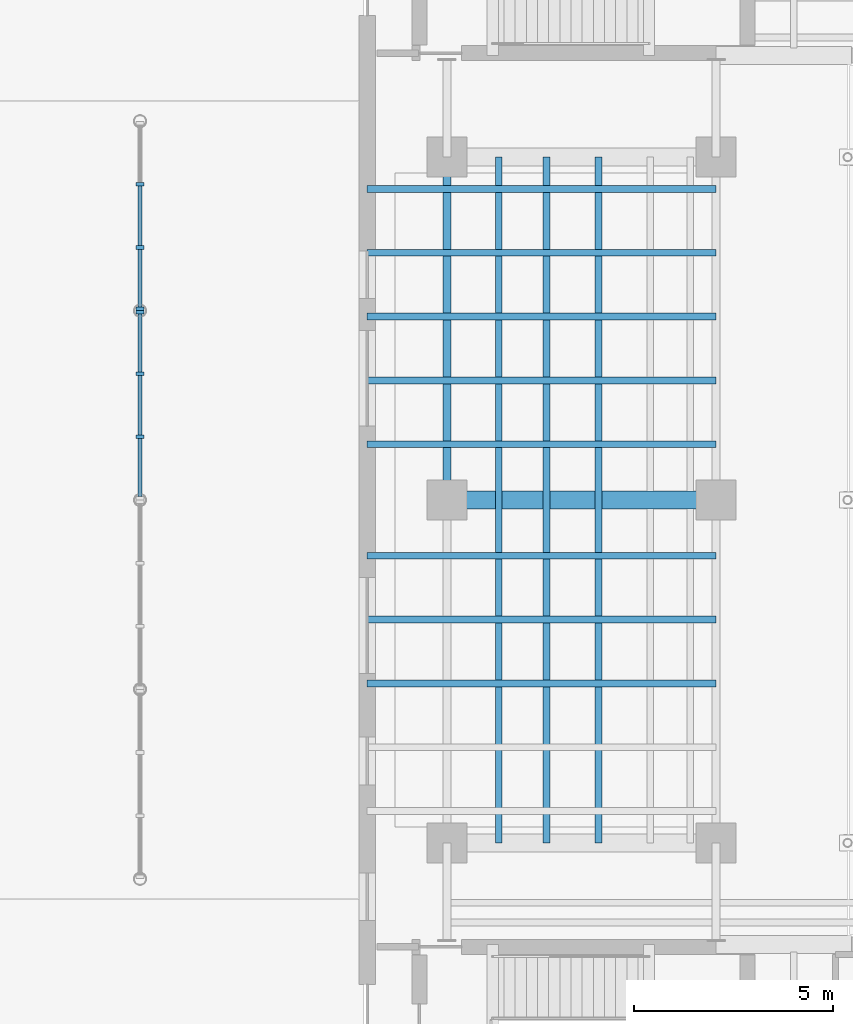
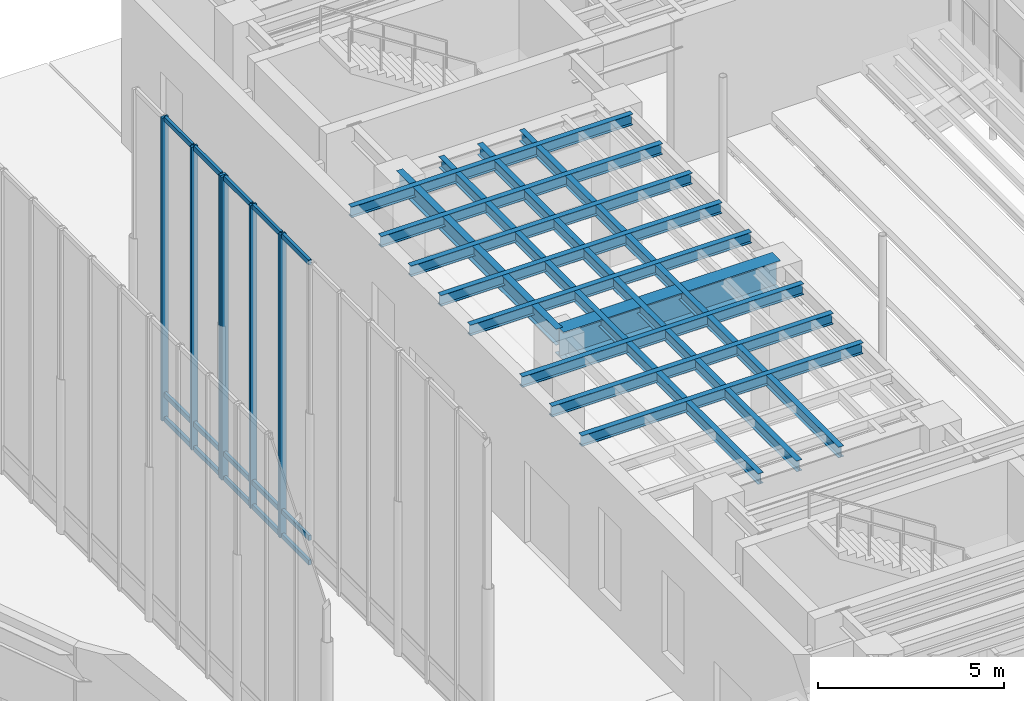
# One storey, part 10 of 28: 21 members, 13 beams, 2 elements without a shape of their own.
"""IFC4 building model written with IfcOpenShell, lengths in metres."""

from ifc_helpers import new_model, si_unit, direction, frame, origin, origin_2d, place, context, subcontext, project, spatial, rectangle, i_section, extrude, material, layer, layer_set, material_profile, profile_set, type_object, element, aggregate, save


model = new_model("IFC4")

# Units and contexts
model_context = context("Model", 3, precision=1e-05, world=origin(), true_north=direction((0.0, 1.0)))
body_context = subcontext(model_context, "Body", "Model", "MODEL_VIEW")
ifc_project = project(units=[si_unit("LENGTHUNIT", "METRE"), si_unit("AREAUNIT", "SQUARE_METRE"), si_unit("VOLUMEUNIT", "CUBIC_METRE"), si_unit("PLANEANGLEUNIT", "RADIAN"), si_unit("MASSUNIT", "GRAM", prefix="KILO")], contexts=[model_context])

# Site, building, storey
site_placement = place(None, origin())
site = spatial("IfcSite", under=ifc_project, at=site_placement, CompositionType="ELEMENT")
building_placement = place(site_placement, origin())
building = spatial("IfcBuilding", under=site, at=building_placement, Name="Korentha Bioscience Tower", CompositionType="ELEMENT")
storey_placement = place(building_placement, origin())
storey = spatial("IfcBuildingStorey", under=building, at=storey_placement, Name="L00", CompositionType="ELEMENT", Elevation=0.0)

# Curtain wall, members
ifc_material_1 = material(Name="Painted Steel-Aluminium Mullion System", Category="steel")
ifc_layer = layer(ifc_material_1, 0.219970703125, Name="Painted Steel-Aluminium Mullion System")
ifc_layer_set = layer_set([ifc_layer], Name="Painted Steel-Aluminium Mullion System (CW-A1)")
curtain_wall_type = type_object("IfcCurtainWallType", Name="Covered Public Arcade Glazed Wall CW-A1", PredefinedType="USERDEFINED", material=ifc_layer_set)
curtain_wall_1_placement = place(storey_placement, origin())
curtain_wall_1 = element("IfcCurtainWall", 1, at=curtain_wall_1_placement, inside=storey, type_object=curtain_wall_type, Name="Covered Arcade Curtain Wall E-3", ObjectType="ARCADE_GLAZING", PredefinedType="USERDEFINED")
ifc_material_2 = material(Name="Anodised Aluminium 6063-T6", Category="aluminium")
ifc_material_profile_1 = material_profile(ifc_material_2, rectangle(XDim=0.090087890625, YDim=0.199951171875, at=origin_2d()), Name="Anodised Aluminium 6063-T6")
ifc_profile_set_1 = profile_set([ifc_material_profile_1], Name="Anodised Aluminium 6063-T6 (CW-MUL)")
member_type_1 = type_object("IfcMemberType", Name="Mullion RECT 90x200", PredefinedType="MULLION", material=ifc_profile_set_1)
member_1_placement = place(storey_placement, frame((58.800048828125, 28.583251953125, 0.0), z_axis=(0.0, 0.0, 1.0), x_axis=(0.0, 1.0, 0.0)))
member_1 = element("IfcMember", 2, at=member_1_placement, type_object=member_type_1, Name="CW-ARC-E-3 Mullion 2", PredefinedType="MULLION", context=body_context, shape_type="SweptSolid", body=[
    extrude(rectangle(XDim=0.090087890625, YDim=0.199951171875, at=origin_2d()), origin(), (0.0, 0.0, 1.0), 9.9599609375),
])
member_2_placement = place(storey_placement, frame((58.800048828125, 30.166748046875, 0.0), z_axis=(0.0, 0.0, 1.0), x_axis=(0.0, 1.0, 0.0)))
member_2 = element("IfcMember", 3, at=member_2_placement, type_object=member_type_1, Name="CW-ARC-E-3 Mullion 3", PredefinedType="MULLION", context=body_context, shape_type="SweptSolid", body=[
    extrude(rectangle(XDim=0.090087890625, YDim=0.199951171875, at=origin_2d()), origin(), (0.0, 0.0, 1.0), 9.9599609375),
])
member_3_placement = place(storey_placement, frame((58.800048828125, 31.705078125, 0.0), z_axis=(0.0, 0.0, 1.0), x_axis=(0.0, 1.0, 0.0)))
member_3 = element("IfcMember", 4, at=member_3_placement, type_object=member_type_1, Name="CW-ARC-E-3 Mullion 4", PredefinedType="MULLION", context=body_context, shape_type="SweptSolid", body=[
    extrude(rectangle(XDim=0.090087890625, YDim=0.199951171875, at=origin_2d()), origin(), (0.0, 0.0, 1.0), 9.9599609375),
])

curtain_wall_2_placement = place(storey_placement, origin())
curtain_wall_2 = element("IfcCurtainWall", 5, at=curtain_wall_2_placement, inside=storey, type_object=curtain_wall_type, Name="Covered Arcade Curtain Wall E-4", ObjectType="ARCADE_GLAZING", PredefinedType="USERDEFINED")
member_4_placement = place(storey_placement, frame((58.800048828125, 31.794921875, 0.0), z_axis=(0.0, 0.0, 1.0), x_axis=(0.0, 1.0, 0.0)))
member_4 = element("IfcMember", 6, at=member_4_placement, type_object=member_type_1, Name="CW-ARC-E-4 Mullion 1", PredefinedType="MULLION", context=body_context, shape_type="SweptSolid", body=[
    extrude(rectangle(XDim=0.090087890625, YDim=0.199951171875, at=origin_2d()), origin(), (0.0, 0.0, 1.0), 9.9599609375),
])
member_5_placement = place(storey_placement, frame((58.800048828125, 33.333251953125, 0.0), z_axis=(0.0, 0.0, 1.0), x_axis=(0.0, 1.0, 0.0)))
member_5 = element("IfcMember", 7, at=member_5_placement, type_object=member_type_1, Name="CW-ARC-E-4 Mullion 2", PredefinedType="MULLION", context=body_context, shape_type="SweptSolid", body=[
    extrude(rectangle(XDim=0.090087890625, YDim=0.199951171875, at=origin_2d()), origin(), (0.0, 0.0, 1.0), 9.9599609375),
])
member_6_placement = place(storey_placement, frame((58.800048828125, 34.916748046875, 0.0), z_axis=(0.0, 0.0, 1.0), x_axis=(0.0, 1.0, 0.0)))
member_6 = element("IfcMember", 8, at=member_6_placement, type_object=member_type_1, Name="CW-ARC-E-4 Mullion 3", PredefinedType="MULLION", context=body_context, shape_type="SweptSolid", body=[
    extrude(rectangle(XDim=0.090087890625, YDim=0.199951171875, at=origin_2d()), origin(), (0.0, 0.0, 1.0), 9.9599609375),
])

# Beams
ifc_material_3 = material(Name="Steel S355", Category="steel")
ifc_material_profile_2 = material_profile(ifc_material_3, i_section(OverallWidth=0.208984375, OverallDepth=0.532958984375, WebThickness=0.01025390625, FlangeThickness=0.015625, at=origin_2d()), Name="Steel S355")
ifc_profile_set_2 = profile_set([ifc_material_profile_2], Name="Steel S355 (SB-530)")
beam_type_1 = type_object("IfcBeamType", Name="Perimeter Ring Spandrel Girder W530x92", PredefinedType="SPANDREL", material=ifc_profile_set_2)
beam_1_placement = place(storey_placement, frame((66.5, 27.0, 4.83349609375), z_axis=(0.0, 1.0, 0.0), x_axis=(-1.0, 0.0, 0.0)))
element("IfcBeam", 9, at=beam_1_placement, inside=storey, type_object=beam_type_1, Name="L00 Theatre Collector Girder 1-5", PredefinedType="SPANDREL", context=body_context, shape_type="SweptSolid", body=[
    extrude(i_section(OverallWidth=0.208984375, OverallDepth=0.532958984375, WebThickness=0.01025390625, FlangeThickness=0.015625, at=origin_2d()), origin(), (0.0, 0.0, 1.0), 8.60009765625),
])
ifc_material_profile_3 = material_profile(ifc_material_3, i_section(OverallWidth=0.1708984375, OverallDepth=0.35498046875, WebThickness=0.007080078125, FlangeThickness=0.01171875, at=origin_2d()), Name="Steel S355")
ifc_profile_set_3 = profile_set([ifc_material_profile_3], Name="Steel S355 (JB-360)")
beam_type_2 = type_object("IfcBeamType", Name="Secondary Laboratory Joist W360x51", PredefinedType="JOIST", material=ifc_profile_set_3)
for number, where, z_axis, x_axis, name in (
    (10, (67.800048828125, 18.39990234375, 4.922607421875), (0.0, 1.0, 0.0), (-1.0, 0.0, 0.0), "L00 Theatre Foyer Longitudinal Joist 01"),
    (11, (69.0, 18.39990234375, 4.922607421875), (0.0, 1.0, 0.0), (-1.0, 0.0, 0.0), "L00 Theatre Foyer Longitudinal Joist 02"),
    (12, (70.300048828125, 18.39990234375, 4.922607421875), (0.0, 1.0, 0.0), (-1.0, 0.0, 0.0), "L00 Theatre Foyer Longitudinal Joist 03"),
):
    element("IfcBeam", number, at=place(storey_placement, frame(where, z_axis=z_axis, x_axis=x_axis)), inside=storey, type_object=beam_type_2, Name=name, PredefinedType="JOIST", context=body_context, shape_type="SweptSolid", body=[
        extrude(i_section(OverallWidth=0.1708984375, OverallDepth=0.35498046875, WebThickness=0.007080078125, FlangeThickness=0.01171875, at=origin_2d()), origin(), (0.0, 0.0, 1.0), 17.2001953125),
    ])
for number, where, z_axis, x_axis, name in (
    (13, (64.5, 22.39990234375, 4.922607421875), (1.0, 0.0, 0.0), (0.0, 1.0, 0.0), "L00 Theatre Foyer Joist 03"),
    (14, (64.5, 24.0, 4.922607421875), (1.0, 0.0, 0.0), (0.0, 1.0, 0.0), "L00 Theatre Foyer Joist 04"),
    (15, (64.5, 25.60009765625, 4.922607421875), (1.0, 0.0, 0.0), (0.0, 1.0, 0.0), "L00 Theatre Foyer Joist 05"),
    (16, (64.5, 28.39990234375, 4.922607421875), (1.0, 0.0, 0.0), (0.0, 1.0, 0.0), "L00 Theatre Foyer Joist 06"),
    (17, (64.5, 30.0, 4.922607421875), (1.0, 0.0, 0.0), (0.0, 1.0, 0.0), "L00 Theatre Foyer Joist 07"),
    (18, (64.5, 31.60009765625, 4.922607421875), (1.0, 0.0, 0.0), (0.0, 1.0, 0.0), "L00 Theatre Foyer Joist 08"),
    (19, (64.5, 33.199951171875, 4.922607421875), (1.0, 0.0, 0.0), (0.0, 1.0, 0.0), "L00 Theatre Foyer Joist 09"),
    (20, (64.5, 34.800048828125, 4.922607421875), (1.0, 0.0, 0.0), (0.0, 1.0, 0.0), "L00 Theatre Foyer Joist 10"),
):
    element("IfcBeam", number, at=place(storey_placement, frame(where, z_axis=z_axis, x_axis=x_axis)), inside=storey, type_object=beam_type_2, Name=name, PredefinedType="JOIST", context=body_context, shape_type="SweptSolid", body=[
        extrude(i_section(OverallWidth=0.1708984375, OverallDepth=0.35498046875, WebThickness=0.007080078125, FlangeThickness=0.01171875, at=origin_2d()), origin(), (0.0, 0.0, 1.0), 8.75),
    ])
ifc_material_profile_4 = material_profile(ifc_material_3, i_section(OverallWidth=0.449951171875, OverallDepth=0.949951171875, WebThickness=0.02001953125, FlangeThickness=0.034912109375, at=origin_2d()), Name="Steel S355")
ifc_profile_set_4 = profile_set([ifc_material_profile_4], Name="Steel S355 (TB-950)")
beam_type_3 = type_object("IfcBeamType", Name="Theatre Primary Girder CVS 950x374", PredefinedType="BEAM", material=ifc_profile_set_4)
beam_2_placement = place(storey_placement, frame((66.5, 27.0, 4.625), z_axis=(1.0, 0.0, 0.0), x_axis=(0.0, 1.0, 0.0)))
element("IfcBeam", 21, at=beam_2_placement, inside=storey, type_object=beam_type_3, Name="L00 Theatre Foyer Girder 3", PredefinedType="BEAM", context=body_context, shape_type="SweptSolid", body=[
    extrude(i_section(OverallWidth=0.449951171875, OverallDepth=0.949951171875, WebThickness=0.02001953125, FlangeThickness=0.034912109375, at=origin_2d()), origin(), (0.0, 0.0, 1.0), 6.75),
])

# Member
ifc_material_profile_5 = material_profile(ifc_material_2, rectangle(XDim=0.090087890625, YDim=0.159912109375, at=origin_2d()), Name="Anodised Aluminium 6063-T6")
ifc_profile_set_5 = profile_set([ifc_material_profile_5], Name="Anodised Aluminium 6063-T6 (CW-TRN)")
member_type_2 = type_object("IfcMemberType", Name="Transom RECT 90x160", PredefinedType="USERDEFINED", material=ifc_profile_set_5)
member_7_placement = place(storey_placement, frame((58.800048828125, 27.090087890625, 0.044921875), z_axis=(0.0, 1.0, 0.0), x_axis=(-1.0, 0.0, 0.0)))
member_7 = element("IfcMember", 22, at=member_7_placement, type_object=member_type_2, Name="CW-ARC-E-3 Bay 1 Transom 1", ObjectType="TRANSOM", PredefinedType="USERDEFINED", context=body_context, shape_type="SweptSolid", body=[
    extrude(rectangle(XDim=0.090087890625, YDim=0.159912109375, at=origin_2d()), origin(), (0.0, 0.0, 1.0), 1.4482421875),
])

member_8_placement = place(storey_placement, frame((58.800048828125, 27.090087890625, 0.85009765625), z_axis=(0.0, 1.0, 0.0), x_axis=(-1.0, 0.0, 0.0)))
member_8 = element("IfcMember", 23, at=member_8_placement, type_object=member_type_2, Name="CW-ARC-E-3 Bay 1 Transom 2", ObjectType="TRANSOM", PredefinedType="USERDEFINED", context=body_context, shape_type="SweptSolid", body=[
    extrude(rectangle(XDim=0.090087890625, YDim=0.159912109375, at=origin_2d()), origin(), (0.0, 0.0, 1.0), 1.4482421875),
])

member_9_placement = place(storey_placement, frame((58.800048828125, 27.090087890625, 9.9150390625), z_axis=(0.0, 1.0, 0.0), x_axis=(-1.0, 0.0, 0.0)))
member_9 = element("IfcMember", 24, at=member_9_placement, type_object=member_type_2, Name="CW-ARC-E-3 Bay 1 Transom 3", ObjectType="TRANSOM", PredefinedType="USERDEFINED", context=body_context, shape_type="SweptSolid", body=[
    extrude(rectangle(XDim=0.090087890625, YDim=0.159912109375, at=origin_2d()), origin(), (0.0, 0.0, 1.0), 1.4482421875),
])

member_10_placement = place(storey_placement, frame((58.800048828125, 28.62841796875, 0.044921875), z_axis=(0.0, 1.0, 0.0), x_axis=(-1.0, 0.0, 0.0)))
member_10 = element("IfcMember", 25, at=member_10_placement, type_object=member_type_2, Name="CW-ARC-E-3 Bay 2 Transom 1", ObjectType="TRANSOM", PredefinedType="USERDEFINED", context=body_context, shape_type="SweptSolid", body=[
    extrude(rectangle(XDim=0.090087890625, YDim=0.159912109375, at=origin_2d()), origin(), (0.0, 0.0, 1.0), 1.4931640625),
])

member_11_placement = place(storey_placement, frame((58.800048828125, 28.62841796875, 0.85009765625), z_axis=(0.0, 1.0, 0.0), x_axis=(-1.0, 0.0, 0.0)))
member_11 = element("IfcMember", 26, at=member_11_placement, type_object=member_type_2, Name="CW-ARC-E-3 Bay 2 Transom 2", ObjectType="TRANSOM", PredefinedType="USERDEFINED", context=body_context, shape_type="SweptSolid", body=[
    extrude(rectangle(XDim=0.090087890625, YDim=0.159912109375, at=origin_2d()), origin(), (0.0, 0.0, 1.0), 1.4931640625),
])

member_12_placement = place(storey_placement, frame((58.800048828125, 28.62841796875, 9.9150390625), z_axis=(0.0, 1.0, 0.0), x_axis=(-1.0, 0.0, 0.0)))
member_12 = element("IfcMember", 27, at=member_12_placement, type_object=member_type_2, Name="CW-ARC-E-3 Bay 2 Transom 3", ObjectType="TRANSOM", PredefinedType="USERDEFINED", context=body_context, shape_type="SweptSolid", body=[
    extrude(rectangle(XDim=0.090087890625, YDim=0.159912109375, at=origin_2d()), origin(), (0.0, 0.0, 1.0), 1.4931640625),
])

member_13_placement = place(storey_placement, frame((58.800048828125, 30.211669921875, 0.044921875), z_axis=(0.0, 1.0, 0.0), x_axis=(-1.0, 0.0, 0.0)))
member_13 = element("IfcMember", 28, at=member_13_placement, type_object=member_type_2, Name="CW-ARC-E-3 Bay 3 Transom 1", ObjectType="TRANSOM", PredefinedType="USERDEFINED", context=body_context, shape_type="SweptSolid", body=[
    extrude(rectangle(XDim=0.090087890625, YDim=0.159912109375, at=origin_2d()), origin(), (0.0, 0.0, 1.0), 1.4482421875),
])

member_14_placement = place(storey_placement, frame((58.800048828125, 30.211669921875, 0.85009765625), z_axis=(0.0, 1.0, 0.0), x_axis=(-1.0, 0.0, 0.0)))
member_14 = element("IfcMember", 29, at=member_14_placement, type_object=member_type_2, Name="CW-ARC-E-3 Bay 3 Transom 2", ObjectType="TRANSOM", PredefinedType="USERDEFINED", context=body_context, shape_type="SweptSolid", body=[
    extrude(rectangle(XDim=0.090087890625, YDim=0.159912109375, at=origin_2d()), origin(), (0.0, 0.0, 1.0), 1.4482421875),
])

member_15_placement = place(storey_placement, frame((58.800048828125, 30.211669921875, 9.9150390625), z_axis=(0.0, 1.0, 0.0), x_axis=(-1.0, 0.0, 0.0)))
member_15 = element("IfcMember", 30, at=member_15_placement, type_object=member_type_2, Name="CW-ARC-E-3 Bay 3 Transom 3", ObjectType="TRANSOM", PredefinedType="USERDEFINED", context=body_context, shape_type="SweptSolid", body=[
    extrude(rectangle(XDim=0.090087890625, YDim=0.159912109375, at=origin_2d()), origin(), (0.0, 0.0, 1.0), 1.4482421875),
])

aggregate(curtain_wall_1, [member_1, member_2, member_3, member_7, member_8, member_9, member_10, member_11, member_12, member_13, member_14, member_15])

member_16_placement = place(storey_placement, frame((58.800048828125, 31.840087890625, 0.044921875), z_axis=(0.0, 1.0, 0.0), x_axis=(-1.0, 0.0, 0.0)))
member_16 = element("IfcMember", 31, at=member_16_placement, type_object=member_type_2, Name="CW-ARC-E-4 Bay 1 Transom 1", ObjectType="TRANSOM", PredefinedType="USERDEFINED", context=body_context, shape_type="SweptSolid", body=[
    extrude(rectangle(XDim=0.090087890625, YDim=0.159912109375, at=origin_2d()), origin(), (0.0, 0.0, 1.0), 1.4482421875),
])

member_17_placement = place(storey_placement, frame((58.800048828125, 31.840087890625, 0.85009765625), z_axis=(0.0, 1.0, 0.0), x_axis=(-1.0, 0.0, 0.0)))
member_17 = element("IfcMember", 32, at=member_17_placement, type_object=member_type_2, Name="CW-ARC-E-4 Bay 1 Transom 2", ObjectType="TRANSOM", PredefinedType="USERDEFINED", context=body_context, shape_type="SweptSolid", body=[
    extrude(rectangle(XDim=0.090087890625, YDim=0.159912109375, at=origin_2d()), origin(), (0.0, 0.0, 1.0), 1.4482421875),
])

member_18_placement = place(storey_placement, frame((58.800048828125, 31.840087890625, 9.9150390625), z_axis=(0.0, 1.0, 0.0), x_axis=(-1.0, 0.0, 0.0)))
member_18 = element("IfcMember", 33, at=member_18_placement, type_object=member_type_2, Name="CW-ARC-E-4 Bay 1 Transom 3", ObjectType="TRANSOM", PredefinedType="USERDEFINED", context=body_context, shape_type="SweptSolid", body=[
    extrude(rectangle(XDim=0.090087890625, YDim=0.159912109375, at=origin_2d()), origin(), (0.0, 0.0, 1.0), 1.4482421875),
])

member_19_placement = place(storey_placement, frame((58.800048828125, 33.37841796875, 0.044921875), z_axis=(0.0, 1.0, 0.0), x_axis=(-1.0, 0.0, 0.0)))
member_19 = element("IfcMember", 34, at=member_19_placement, type_object=member_type_2, Name="CW-ARC-E-4 Bay 2 Transom 1", ObjectType="TRANSOM", PredefinedType="USERDEFINED", context=body_context, shape_type="SweptSolid", body=[
    extrude(rectangle(XDim=0.090087890625, YDim=0.159912109375, at=origin_2d()), origin(), (0.0, 0.0, 1.0), 1.4931640625),
])

member_20_placement = place(storey_placement, frame((58.800048828125, 33.37841796875, 0.85009765625), z_axis=(0.0, 1.0, 0.0), x_axis=(-1.0, 0.0, 0.0)))
member_20 = element("IfcMember", 35, at=member_20_placement, type_object=member_type_2, Name="CW-ARC-E-4 Bay 2 Transom 2", ObjectType="TRANSOM", PredefinedType="USERDEFINED", context=body_context, shape_type="SweptSolid", body=[
    extrude(rectangle(XDim=0.090087890625, YDim=0.159912109375, at=origin_2d()), origin(), (0.0, 0.0, 1.0), 1.4931640625),
])

member_21_placement = place(storey_placement, frame((58.800048828125, 33.37841796875, 9.9150390625), z_axis=(0.0, 1.0, 0.0), x_axis=(-1.0, 0.0, 0.0)))
member_21 = element("IfcMember", 36, at=member_21_placement, type_object=member_type_2, Name="CW-ARC-E-4 Bay 2 Transom 3", ObjectType="TRANSOM", PredefinedType="USERDEFINED", context=body_context, shape_type="SweptSolid", body=[
    extrude(rectangle(XDim=0.090087890625, YDim=0.159912109375, at=origin_2d()), origin(), (0.0, 0.0, 1.0), 1.4931640625),
])

aggregate(curtain_wall_2, [member_4, member_5, member_6, member_16, member_17, member_18, member_19, member_20, member_21])

save(model, "model.ifc")
